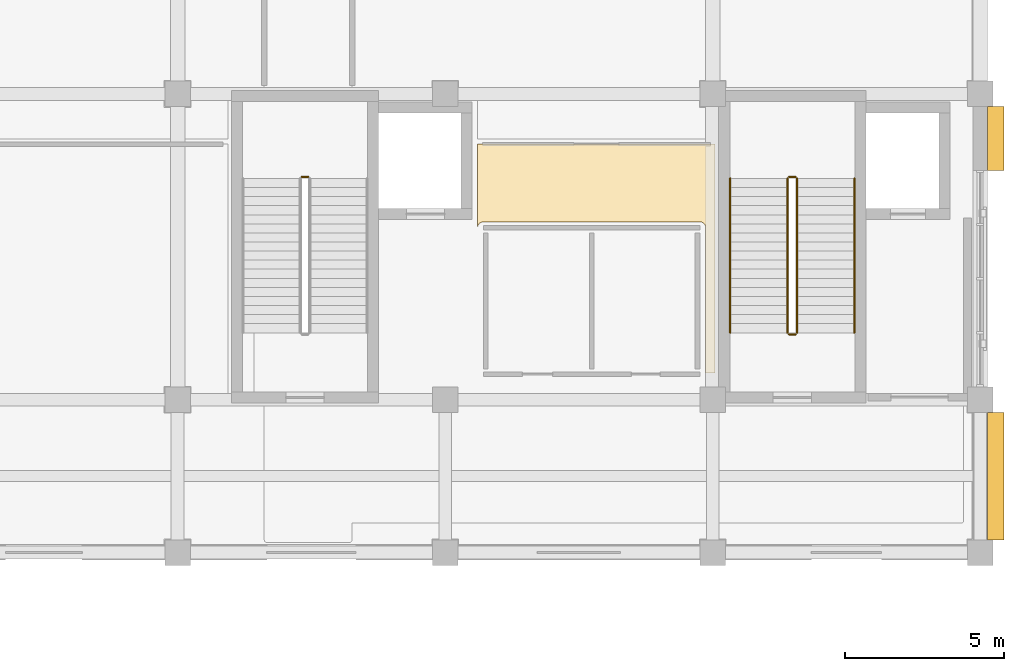
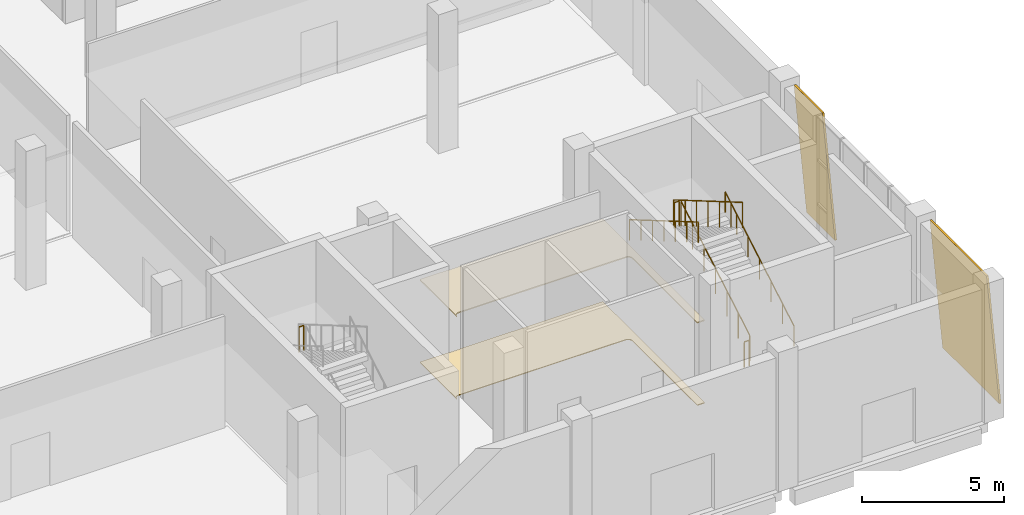
# One storey, part 82 of 84: 7 railings, 4 coverings.
"""IFC4 building model written with IfcOpenShell, lengths in metres."""

from ifc_helpers import new_model, si_unit, direction, frame, origin, origin_2d, place, context, subcontext, project, spatial, polyline, circle, outline, extrude, material, layer, layer_set, type_object, element, save


model = new_model("IFC4")

# Units and contexts
model_context = context("Model", 3, precision=1e-05, world=origin(), true_north=direction((0.0, 1.0)))
body_context = subcontext(model_context, "Body", "Model", "MODEL_VIEW")
ifc_project = project(units=[si_unit("LENGTHUNIT", "METRE"), si_unit("AREAUNIT", "SQUARE_METRE"), si_unit("VOLUMEUNIT", "CUBIC_METRE"), si_unit("PLANEANGLEUNIT", "RADIAN"), si_unit("MASSUNIT", "GRAM", prefix="KILO")], contexts=[model_context])

# Site, building, storey
site_placement = place(None, origin())
site = spatial("IfcSite", under=ifc_project, at=site_placement, CompositionType="ELEMENT")
building_placement = place(site_placement, origin())
building = spatial("IfcBuilding", under=site, at=building_placement, Name="Shalvenor Court Art Gallery", CompositionType="ELEMENT")
storey_placement = place(building_placement, origin())
storey = spatial("IfcBuildingStorey", under=building, at=storey_placement, Name="L00", CompositionType="ELEMENT", Elevation=0.0)

# Coverings
ifc_material_1 = material(Name="Pale Mediterranean limestone cladding", Category="masonry")
ifc_layer_1 = layer(ifc_material_1, 0.080078125, Name="Pale Mediterranean limestone cladding")
ifc_layer_set_1 = layer_set([ifc_layer_1], Name="Pale Mediterranean limestone cladding")
covering_type_1 = type_object("IfcCoveringType", Name="CLD-01", PredefinedType="CLADDING", material=ifc_layer_set_1)
covering_1_placement = place(storey_placement, frame((177.14697265625, 57.60009765625, 0.0), z_axis=(0.0, 0.0, 1.0), x_axis=(0.0, 1.0, 0.0)))
element("IfcCovering", 1, at=covering_1_placement, inside=storey, type_object=covering_type_1, Name="L00 V1 Tapered Limestone Cladding 1", PredefinedType="CLADDING", context=body_context, shape_type="SweptSolid", body=[
    extrude(outline(polyline([(0.0, 0.0), (2.0, 0.0), (2.0, 5.703369140625), (0.0, 5.703369140625), (0.0, 0.0)])), frame((0.0, 0.0, 0.0), z_axis=(0.0, -0.995884398616, 0.090632580198), x_axis=(1.0, 0.0, 0.0)), (0.0, 0.090632580198, -0.995884398616), 0.080322265625),
])
covering_2_placement = place(storey_placement, frame((177.14697265625, 46.0, 0.0), z_axis=(0.0, 0.0, 1.0), x_axis=(0.0, 1.0, 0.0)))
element("IfcCovering", 2, at=covering_2_placement, inside=storey, type_object=covering_type_1, Name="L00 V1 Tapered Limestone Cladding 2", PredefinedType="CLADDING", context=body_context, shape_type="SweptSolid", body=[
    extrude(outline(polyline([(0.0, 0.0), (4.0, 0.0), (4.0, 5.703369140625), (0.0, 5.703369140625), (0.0, 0.0)])), frame((0.0, 0.0, 0.0), z_axis=(0.0, -0.995884398616, 0.090632580198), x_axis=(1.0, 0.0, 0.0)), (0.0, 0.090632580198, -0.995884398616), 0.080322265625),
])
ifc_material_2 = material(Name="Acoustic hinoki timber slat ceiling", Category="wood")
ifc_layer_2 = layer(ifc_material_2, 0.054931640625, Name="Acoustic hinoki timber slat ceiling")
ifc_layer_set_2 = layer_set([ifc_layer_2], Name="Acoustic hinoki timber slat ceiling")
covering_type_2 = type_object("IfcCoveringType", Name="CLG-02", PredefinedType="CEILING", material=ifc_layer_set_2)
covering_3_placement = place(storey_placement, frame((0.0, 0.0, 3.550048828125)))
element("IfcCovering", 3, at=covering_3_placement, inside=storey, type_object=covering_type_2, Name="L00 Public Entrance Foyer Wing B Acoustic Ceiling", PredefinedType="CEILING", context=body_context, shape_type="SweptSolid", body=[
    extrude(outline(polyline([(167.780029296875, 51.22998046875), (167.780029296875, 55.800048828125), (167.779052734375, 55.817626953125), (167.776611328125, 55.835205078125), (167.772216796875, 55.852294921875), (167.766357421875, 55.868896484375), (167.7587890625, 55.885009765625), (167.749755859375, 55.89990234375), (167.739013671875, 55.914306640625), (167.727294921875, 55.92724609375), (167.714111328125, 55.939208984375), (167.699951171875, 55.94970703125), (167.684814453125, 55.958740234375), (167.6689453125, 55.96630859375), (167.65234375, 55.97216796875), (167.635009765625, 55.9765625), (167.61767578125, 55.97900390625), (167.60009765625, 55.97998046875), (160.800048828125, 55.97998046875), (160.782470703125, 55.97900390625), (160.764892578125, 55.9765625), (160.747802734375, 55.97216796875), (160.731201171875, 55.96630859375), (160.715087890625, 55.958740234375), (160.699951171875, 55.94970703125), (160.685791015625, 55.939208984375), (160.672607421875, 55.92724609375), (160.660888671875, 55.914306640625), (160.650390625, 55.89990234375), (160.641357421875, 55.885009765625), (160.6337890625, 55.868896484375), (160.627685546875, 55.852294921875), (160.62353515625, 55.835205078125), (160.620849609375, 55.817626953125), (160.6201171875, 55.800048828125), (160.6201171875, 58.419921875), (168.080078125, 58.419921875), (168.080078125, 51.22998046875), (167.780029296875, 51.22998046875)])), origin(), (0.0, 0.0, 1.0), 0.044921875),
])
ifc_material_3 = material(Name="Honed pale limestone terrazzo flooring", Category="masonry")
ifc_layer_3 = layer(ifc_material_3, 0.0400390625, Name="Honed pale limestone terrazzo flooring")
ifc_layer_set_3 = layer_set([ifc_layer_3], Name="Honed pale limestone terrazzo flooring")
covering_type_3 = type_object("IfcCoveringType", Name="FLR-01", PredefinedType="FLOORING", material=ifc_layer_set_3)
covering_4_placement = place(storey_placement, origin())
element("IfcCovering", 4, at=covering_4_placement, inside=storey, type_object=covering_type_3, Name="L00 Public Entrance Foyer Wing B Flooring", PredefinedType="FLOORING", context=body_context, shape_type="SweptSolid", body=[
    extrude(outline(polyline([(167.780029296875, 51.22998046875), (167.780029296875, 55.800048828125), (167.779052734375, 55.817626953125), (167.776611328125, 55.835205078125), (167.772216796875, 55.852294921875), (167.766357421875, 55.868896484375), (167.7587890625, 55.885009765625), (167.749755859375, 55.89990234375), (167.739013671875, 55.914306640625), (167.727294921875, 55.92724609375), (167.714111328125, 55.939208984375), (167.699951171875, 55.94970703125), (167.684814453125, 55.958740234375), (167.6689453125, 55.96630859375), (167.65234375, 55.97216796875), (167.635009765625, 55.9765625), (167.61767578125, 55.97900390625), (167.60009765625, 55.97998046875), (160.800048828125, 55.97998046875), (160.782470703125, 55.97900390625), (160.764892578125, 55.9765625), (160.747802734375, 55.97216796875), (160.731201171875, 55.96630859375), (160.715087890625, 55.958740234375), (160.699951171875, 55.94970703125), (160.685791015625, 55.939208984375), (160.672607421875, 55.92724609375), (160.660888671875, 55.914306640625), (160.650390625, 55.89990234375), (160.641357421875, 55.885009765625), (160.6337890625, 55.868896484375), (160.627685546875, 55.852294921875), (160.62353515625, 55.835205078125), (160.620849609375, 55.817626953125), (160.6201171875, 55.800048828125), (160.6201171875, 58.419921875), (168.080078125, 58.419921875), (168.080078125, 51.22998046875), (167.780029296875, 51.22998046875)])), origin(), (0.0, 0.0, 1.0), 0.031982421875),
])

# Railings
ifc_material_4 = material(Name="Painted steel post-and-rail guard", Category="steel")
railing_type_1 = type_object("IfcRailingType", Name="GR-02", PredefinedType="GUARDRAIL", material=ifc_material_4)
railing_1_placement = place(storey_placement, frame((170.64990234375, 52.5, 0.166748046875)))
element("IfcRailing", 5, at=railing_1_placement, inside=storey, type_object=railing_type_1, Name="L00 ST-02 Stair Guard 1", PredefinedType="GUARDRAIL", context=body_context, shape_type="SweptSolid", body=[
    extrude(circle(Radius=0.02392578125, at=origin_2d()), frame((0.0, 0.0, 1.09619140625), z_axis=(0.0, 0.863234098208, 0.504803815052), x_axis=(-1.0, 0.0, 0.0)), (0.0, 0.0, 1.0), 5.612548828125),
    extrude(circle(Radius=0.02099609375, at=origin_2d()), origin(), (0.0, 0.0, 1.0), 1.072021484375),
    extrude(circle(Radius=0.02099609375, at=origin_2d()), frame((0.0, 0.8076171875, 0.47216796875)), (0.0, 0.0, 1.0), 1.072021484375),
    extrude(circle(Radius=0.02099609375, at=origin_2d()), frame((0.0, 1.614990234375, 0.9443359375)), (0.0, 0.0, 1.0), 1.072021484375),
    extrude(circle(Radius=0.02099609375, at=origin_2d()), frame((0.0, 2.42236328125, 1.41650390625)), (0.0, 0.0, 1.0), 1.072021484375),
    extrude(circle(Radius=0.02099609375, at=origin_2d()), frame((0.0, 3.22998046875, 1.888916015625)), (0.0, 0.0, 1.0), 1.072021484375),
    extrude(circle(Radius=0.02099609375, at=origin_2d()), frame((0.0, 4.03759765625, 2.361083984375)), (0.0, 0.0, 1.0), 1.072021484375),
    extrude(circle(Radius=0.02099609375, at=origin_2d()), frame((0.0, 4.844970703125, 2.833251953125)), (0.0, 0.0, 1.0), 1.072021484375),
])
railing_2_placement = place(storey_placement, frame((170.60009765625, 57.39501953125, 3.0)))
element("IfcRailing", 6, at=railing_2_placement, inside=storey, type_object=railing_type_1, Name="L00 ST-02 Stair Guard 2", PredefinedType="GUARDRAIL", context=body_context, shape_type="SweptSolid", body=[
    extrude(circle(Radius=0.02392578125, at=origin_2d()), frame((0.0, 0.0, 1.09619140625), z_axis=(-1.0, 0.0, 0.0), x_axis=(0.0, -1.0, 0.0)), (0.0, 0.0, 1.0), 0.2001953125),
    extrude(circle(Radius=0.02099609375, at=origin_2d()), origin(), (0.0, 0.0, 1.0), 1.072021484375),
    extrude(circle(Radius=0.02099609375, at=origin_2d()), frame((-0.2001953125, 0.0, 0.0)), (0.0, 0.0, 1.0), 1.072021484375),
])
railing_3_placement = place(storey_placement, frame((170.35009765625, 57.344970703125, 3.166748046875)))
element("IfcRailing", 7, at=railing_3_placement, inside=storey, type_object=railing_type_1, Name="L00 ST-02 Stair Guard 3", PredefinedType="GUARDRAIL", context=body_context, shape_type="SweptSolid", body=[
    extrude(circle(Radius=0.02392578125, at=origin_2d()), frame((0.0, 0.0, 1.09619140625), z_axis=(0.0, -0.863234098208, 0.504803815052), x_axis=(1.0, 0.0, 0.0)), (0.0, 0.0, 1.0), 5.612548828125),
    extrude(circle(Radius=0.02099609375, at=origin_2d()), origin(), (0.0, 0.0, 1.0), 1.072021484375),
    extrude(circle(Radius=0.02099609375, at=origin_2d()), frame((0.0, -0.8076171875, 0.47216796875)), (0.0, 0.0, 1.0), 1.072021484375),
    extrude(circle(Radius=0.02099609375, at=origin_2d()), frame((0.0, -1.614990234375, 0.9443359375)), (0.0, 0.0, 1.0), 1.072021484375),
    extrude(circle(Radius=0.02099609375, at=origin_2d()), frame((0.0, -2.42236328125, 1.41650390625)), (0.0, 0.0, 1.0), 1.072021484375),
    extrude(circle(Radius=0.02099609375, at=origin_2d()), frame((0.0, -3.22998046875, 1.888916015625)), (0.0, 0.0, 1.0), 1.072021484375),
    extrude(circle(Radius=0.02099609375, at=origin_2d()), frame((0.0, -4.03759765625, 2.361083984375)), (0.0, 0.0, 1.0), 1.072021484375),
    extrude(circle(Radius=0.02099609375, at=origin_2d()), frame((0.0, -4.844970703125, 2.833251953125)), (0.0, 0.0, 1.0), 1.072021484375),
])
railing_4_placement = place(storey_placement, frame((170.60009765625, 52.449951171875, 0.0)))
element("IfcRailing", 8, at=railing_4_placement, inside=storey, type_object=railing_type_1, Name="L00 ST-02 Stair Guard 4", PredefinedType="GUARDRAIL", context=body_context, shape_type="SweptSolid", body=[
    extrude(circle(Radius=0.02392578125, at=origin_2d()), frame((0.0, 0.0, 1.09619140625), z_axis=(-1.0, 0.0, 0.0), x_axis=(0.0, -1.0, 0.0)), (0.0, 0.0, 1.0), 0.2001953125),
    extrude(circle(Radius=0.02099609375, at=origin_2d()), origin(), (0.0, 0.0, 1.0), 1.072021484375),
    extrude(circle(Radius=0.02099609375, at=origin_2d()), frame((-0.2001953125, 0.0, 0.0)), (0.0, 0.0, 1.0), 1.072021484375),
])
railing_5_placement = place(storey_placement, frame((155.300048828125, 57.39501953125, 3.0)))
element("IfcRailing", 9, at=railing_5_placement, inside=storey, type_object=railing_type_1, Name="L00 ST-03 Stair Guard 2", PredefinedType="GUARDRAIL", context=body_context, shape_type="SweptSolid", body=[
    extrude(circle(Radius=0.02392578125, at=origin_2d()), frame((0.0, 0.0, 1.09619140625), z_axis=(-1.0, 0.0, 0.0), x_axis=(0.0, -1.0, 0.0)), (0.0, 0.0, 1.0), 0.199951171875),
    extrude(circle(Radius=0.02099609375, at=origin_2d()), origin(), (0.0, 0.0, 1.0), 1.072021484375),
    extrude(circle(Radius=0.02099609375, at=origin_2d()), frame((-0.199951171875, 0.0, 0.0)), (0.0, 0.0, 1.0), 1.072021484375),
])
ifc_material_5 = material(Name="Brushed stainless steel handrail", Category="steel")
railing_type_2 = type_object("IfcRailingType", Name="HR-01", PredefinedType="HANDRAIL", material=ifc_material_5)
railing_6_placement = place(storey_placement, frame((172.449951171875, 52.5, 0.166748046875)))
element("IfcRailing", 10, at=railing_6_placement, inside=storey, type_object=railing_type_2, Name="L00 ST-02 Stair Handrail 1", PredefinedType="HANDRAIL", context=body_context, shape_type="SweptSolid", body=[
    extrude(circle(Radius=0.02392578125, at=origin_2d()), frame((0.0, 0.0, 0.8759765625), z_axis=(0.0, 0.863234098208, 0.504803815052), x_axis=(-1.0, 0.0, 0.0)), (0.0, 0.0, 1.0), 5.612548828125),
    extrude(circle(Radius=0.02099609375, at=origin_2d()), origin(), (0.0, 0.0, 1.0), 0.851806640625),
    extrude(circle(Radius=0.02099609375, at=origin_2d()), frame((0.0, 0.8076171875, 0.47216796875)), (0.0, 0.0, 1.0), 0.851806640625),
    extrude(circle(Radius=0.02099609375, at=origin_2d()), frame((0.0, 1.614990234375, 0.9443359375)), (0.0, 0.0, 1.0), 0.851806640625),
    extrude(circle(Radius=0.02099609375, at=origin_2d()), frame((0.0, 2.42236328125, 1.41650390625)), (0.0, 0.0, 1.0), 0.851806640625),
    extrude(circle(Radius=0.02099609375, at=origin_2d()), frame((0.0, 3.22998046875, 1.888916015625)), (0.0, 0.0, 1.0), 0.851806640625),
    extrude(circle(Radius=0.02099609375, at=origin_2d()), frame((0.0, 4.03759765625, 2.361083984375)), (0.0, 0.0, 1.0), 0.851806640625),
    extrude(circle(Radius=0.02099609375, at=origin_2d()), frame((0.0, 4.844970703125, 2.833251953125)), (0.0, 0.0, 1.0), 0.851806640625),
])
railing_7_placement = place(storey_placement, frame((168.550048828125, 57.344970703125, 3.166748046875)))
element("IfcRailing", 11, at=railing_7_placement, inside=storey, type_object=railing_type_2, Name="L00 ST-02 Stair Handrail 2", PredefinedType="HANDRAIL", context=body_context, shape_type="SweptSolid", body=[
    extrude(circle(Radius=0.02392578125, at=origin_2d()), frame((0.0, 0.0, 0.8759765625), z_axis=(0.0, -0.863234098208, 0.504803815052), x_axis=(1.0, 0.0, 0.0)), (0.0, 0.0, 1.0), 5.612548828125),
    extrude(circle(Radius=0.02099609375, at=origin_2d()), origin(), (0.0, 0.0, 1.0), 0.851806640625),
    extrude(circle(Radius=0.02099609375, at=origin_2d()), frame((0.0, -0.8076171875, 0.47216796875)), (0.0, 0.0, 1.0), 0.851806640625),
    extrude(circle(Radius=0.02099609375, at=origin_2d()), frame((0.0, -1.614990234375, 0.9443359375)), (0.0, 0.0, 1.0), 0.851806640625),
    extrude(circle(Radius=0.02099609375, at=origin_2d()), frame((0.0, -2.42236328125, 1.41650390625)), (0.0, 0.0, 1.0), 0.851806640625),
    extrude(circle(Radius=0.02099609375, at=origin_2d()), frame((0.0, -3.22998046875, 1.888916015625)), (0.0, 0.0, 1.0), 0.851806640625),
    extrude(circle(Radius=0.02099609375, at=origin_2d()), frame((0.0, -4.03759765625, 2.361083984375)), (0.0, 0.0, 1.0), 0.851806640625),
    extrude(circle(Radius=0.02099609375, at=origin_2d()), frame((0.0, -4.844970703125, 2.833251953125)), (0.0, 0.0, 1.0), 0.851806640625),
])

save(model, "model.ifc")
